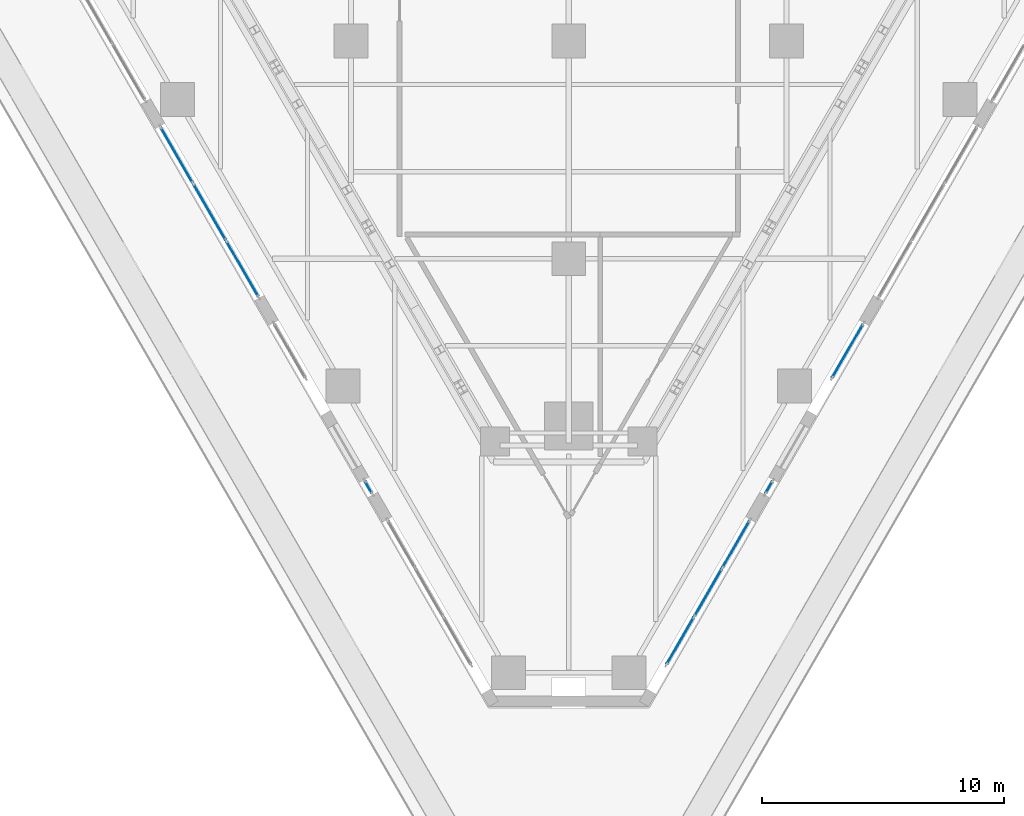
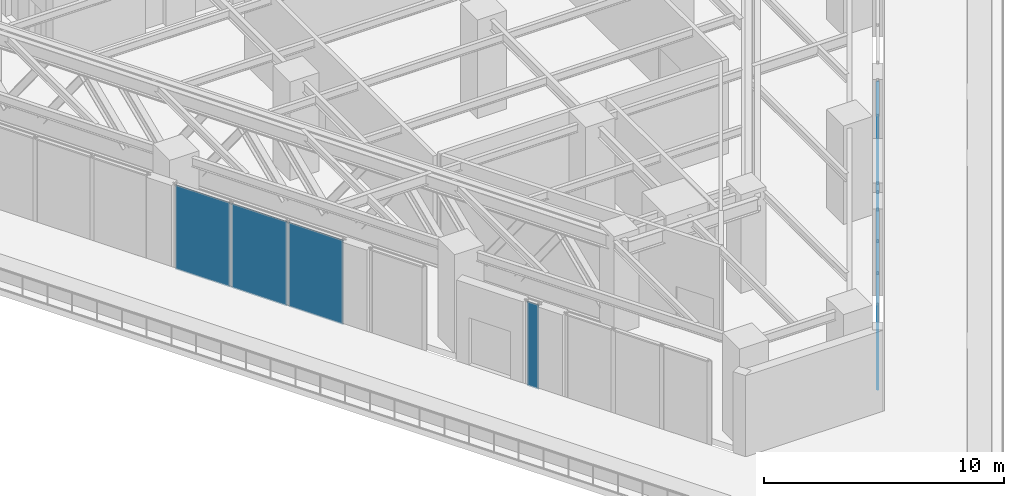
# One storey, part 12 of 25: 9 plates, 5 elements without a shape of their own.
"""IFC4 building model written with IfcOpenShell, lengths in metres."""

from ifc_helpers import new_model, si_unit, direction, frame, origin, origin_2d, place, context, subcontext, project, spatial, rectangle, extrude, material, layer, layer_set, type_object, element, aggregate, save


model = new_model("IFC4")

# Units and contexts
model_context = context("Model", 3, precision=1e-05, world=origin(), true_north=direction((0.0, 1.0)))
body_context = subcontext(model_context, "Body", "Model", "MODEL_VIEW")
ifc_project = project(units=[si_unit("LENGTHUNIT", "METRE"), si_unit("AREAUNIT", "SQUARE_METRE"), si_unit("VOLUMEUNIT", "CUBIC_METRE"), si_unit("PLANEANGLEUNIT", "RADIAN"), si_unit("MASSUNIT", "GRAM", prefix="KILO")], contexts=[model_context])

# Site, building, storey
site_placement = place(None, origin())
site = spatial("IfcSite", under=ifc_project, at=site_placement, CompositionType="ELEMENT")
building_placement = place(site_placement, origin())
building = spatial("IfcBuilding", under=site, at=building_placement, Name="Aloe Facet Convention Tower", CompositionType="ELEMENT")
storey_placement = place(building_placement, frame((0.0, 0.0, 30.0)))
storey = spatial("IfcBuildingStorey", under=building, at=storey_placement, Name="L05", CompositionType="ELEMENT", Elevation=30.0)

# Curtain wall, plates
ifc_material_1 = material(Name="Aluminium, anodised", Category="aluminium")
curtain_wall_type = type_object("IfcCurtainWallType", Name="EV-CW-HALL", PredefinedType="USERDEFINED", material=ifc_material_1)
curtain_wall_1_placement = place(storey_placement, origin())
curtain_wall_1 = element("IfcCurtainWall", 1, at=curtain_wall_1_placement, inside=storey, type_object=curtain_wall_type, Name="CW-L05-W08", ObjectType="UNITISED HALL GLAZING", PredefinedType="USERDEFINED")
ifc_material_2 = material(Name="Clear double glazing", Category="glass")
ifc_layer = layer(ifc_material_2, 0.035888671875)
ifc_layer_set = layer_set([ifc_layer], Name="EV-PANEL-HALL")
plate_type = type_object("IfcPlateType", Name="EV-PANEL-HALL", PredefinedType="CURTAIN_PANEL", material=ifc_layer_set)
plate_1_placement = place(storey_placement, frame((63.798828125, 103.28173828125, -0.23486328125), z_axis=(0.0, 0.0, 1.0), x_axis=(0.5, -0.866025403784, 0.0)))
plate_1 = element("IfcPlate", 2, at=plate_1_placement, type_object=plate_type, Name="CW-L05-W08 panel 1.1", PredefinedType="CURTAIN_PANEL", context=body_context, shape_type="SweptSolid", body=[
    extrude(rectangle(XDim=2.6328125, YDim=0.035888671875, at=origin_2d()), origin(), (0.0, 0.0, 1.0), 4.282470703125),
])
plate_2_placement = place(storey_placement, frame((65.156005859375, 100.93115234375, -0.23486328125), z_axis=(0.0, 0.0, 1.0), x_axis=(0.5, -0.866025403784, 0.0)))
plate_2 = element("IfcPlate", 3, at=plate_2_placement, type_object=plate_type, Name="CW-L05-W08 panel 2.1", PredefinedType="CURTAIN_PANEL", context=body_context, shape_type="SweptSolid", body=[
    extrude(rectangle(XDim=2.665283203125, YDim=0.035888671875, at=origin_2d()), origin(), (0.0, 0.0, 1.0), 4.282470703125),
])
plate_3_placement = place(storey_placement, frame((66.512939453125, 98.580810546875, -0.23486328125), z_axis=(0.0, 0.0, 1.0), x_axis=(0.5, -0.866025403784, 0.0)))
plate_3 = element("IfcPlate", 4, at=plate_3_placement, type_object=plate_type, Name="CW-L05-W08 panel 3.1", PredefinedType="CURTAIN_PANEL", context=body_context, shape_type="SweptSolid", body=[
    extrude(rectangle(XDim=2.6328125, YDim=0.035888671875, at=origin_2d()), origin(), (0.0, 0.0, 1.0), 4.282470703125),
])
aggregate(curtain_wall_1, [plate_1, plate_2, plate_3])

# Curtain wall, plate
curtain_wall_2_placement = place(storey_placement, origin())
curtain_wall_2 = element("IfcCurtainWall", 5, at=curtain_wall_2_placement, inside=storey, type_object=curtain_wall_type, Name="CW-L05-W10B", ObjectType="UNITISED HALL GLAZING", PredefinedType="USERDEFINED")
plate_4_placement = place(storey_placement, frame((71.725341796875, 89.552490234375, -0.23486328125), z_axis=(0.0, 0.0, 1.0), x_axis=(0.499999999804, -0.866025403898, 0.0)))
plate_4 = element("IfcPlate", 6, at=plate_4_placement, type_object=plate_type, Name="CW-L05-W10B panel 1.1", PredefinedType="CURTAIN_PANEL", context=body_context, shape_type="SweptSolid", body=[
    extrude(rectangle(XDim=0.565673828125, YDim=0.035888671875, at=origin_2d()), origin(), (0.0, 0.0, 1.0), 4.282470703125),
])
aggregate(curtain_wall_2, [plate_4])

# Curtain wall, plates
curtain_wall_3_placement = place(storey_placement, origin())
curtain_wall_3 = element("IfcCurtainWall", 7, at=curtain_wall_3_placement, inside=storey, type_object=curtain_wall_type, Name="CW-L05-E02", ObjectType="UNITISED HALL GLAZING", PredefinedType="USERDEFINED")
plate_5_placement = place(storey_placement, frame((84.609375, 83.204345703125, -0.23486328125), z_axis=(0.0, 0.0, 1.0), x_axis=(0.500000000015, 0.866025403776, 0.0)))
plate_5 = element("IfcPlate", 8, at=plate_5_placement, type_object=plate_type, Name="CW-L05-E02 panel 1.1", PredefinedType="CURTAIN_PANEL", context=body_context, shape_type="SweptSolid", body=[
    extrude(rectangle(XDim=2.221923828125, YDim=0.035888671875, at=origin_2d()), origin(), (0.0, 0.0, 1.0), 4.282470703125),
])
plate_6_placement = place(storey_placement, frame((85.76123046875, 85.198974609375, -0.23486328125), z_axis=(0.0, 0.0, 1.0), x_axis=(0.500000000015, 0.866025403776, 0.0)))
plate_6 = element("IfcPlate", 9, at=plate_6_placement, type_object=plate_type, Name="CW-L05-E02 panel 2.1", PredefinedType="CURTAIN_PANEL", context=body_context, shape_type="SweptSolid", body=[
    extrude(rectangle(XDim=2.25439453125, YDim=0.035888671875, at=origin_2d()), origin(), (0.0, 0.0, 1.0), 4.282470703125),
])
plate_7_placement = place(storey_placement, frame((86.912841796875, 87.19384765625, -0.23486328125), z_axis=(0.0, 0.0, 1.0), x_axis=(0.500000000015, 0.866025403776, 0.0)))
plate_7 = element("IfcPlate", 10, at=plate_7_placement, type_object=plate_type, Name="CW-L05-E02 panel 3.1", PredefinedType="CURTAIN_PANEL", context=body_context, shape_type="SweptSolid", body=[
    extrude(rectangle(XDim=2.221923828125, YDim=0.035888671875, at=origin_2d()), origin(), (0.0, 0.0, 1.0), 4.282470703125),
])
aggregate(curtain_wall_3, [plate_5, plate_6, plate_7])

# Curtain wall, plate
curtain_wall_4_placement = place(storey_placement, origin())
curtain_wall_4 = element("IfcCurtainWall", 11, at=curtain_wall_4_placement, inside=storey, type_object=curtain_wall_type, Name="CW-L05-E04A", ObjectType="UNITISED HALL GLAZING", PredefinedType="USERDEFINED")
plate_8_placement = place(storey_placement, frame((88.274658203125, 89.552490234375, -0.23486328125), z_axis=(0.0, 0.0, 1.0), x_axis=(0.499999999804, 0.866025403898, 0.0)))
plate_8 = element("IfcPlate", 12, at=plate_8_placement, type_object=plate_type, Name="CW-L05-E04A panel 1.1", PredefinedType="CURTAIN_PANEL", context=body_context, shape_type="SweptSolid", body=[
    extrude(rectangle(XDim=0.565673828125, YDim=0.035888671875, at=origin_2d()), origin(), (0.0, 0.0, 1.0), 4.282470703125),
])
aggregate(curtain_wall_4, [plate_8])

curtain_wall_5_placement = place(storey_placement, origin())
curtain_wall_5 = element("IfcCurtainWall", 13, at=curtain_wall_5_placement, inside=storey, type_object=curtain_wall_type, Name="CW-L05-E04B", ObjectType="UNITISED HALL GLAZING", PredefinedType="USERDEFINED")
plate_9_placement = place(storey_placement, frame((91.529541015625, 95.1904296875, -0.23486328125), z_axis=(0.0, 0.0, 1.0), x_axis=(0.499999999879, 0.866025403854, 0.0)))
plate_9 = element("IfcPlate", 14, at=plate_9_placement, type_object=plate_type, Name="CW-L05-E04B panel 1.1", PredefinedType="CURTAIN_PANEL", context=body_context, shape_type="SweptSolid", body=[
    extrude(rectangle(XDim=2.53662109375, YDim=0.035888671875, at=origin_2d()), origin(), (0.0, 0.0, 1.0), 4.282470703125),
])
aggregate(curtain_wall_5, [plate_9])

save(model, "model.ifc")
